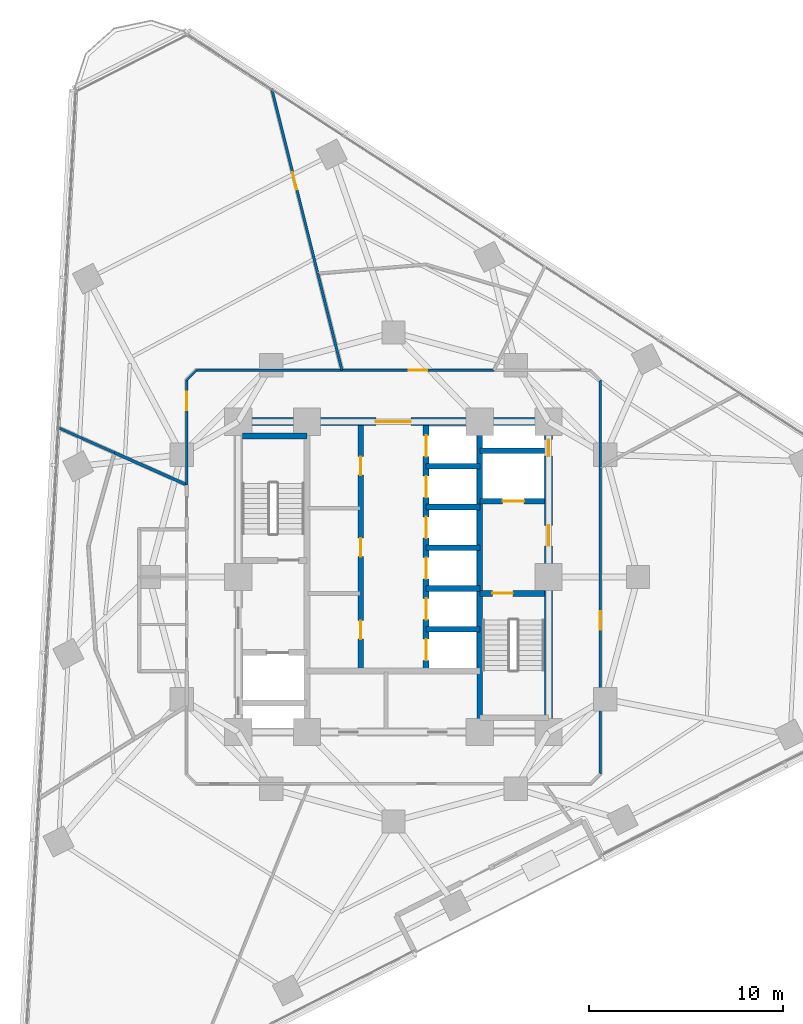
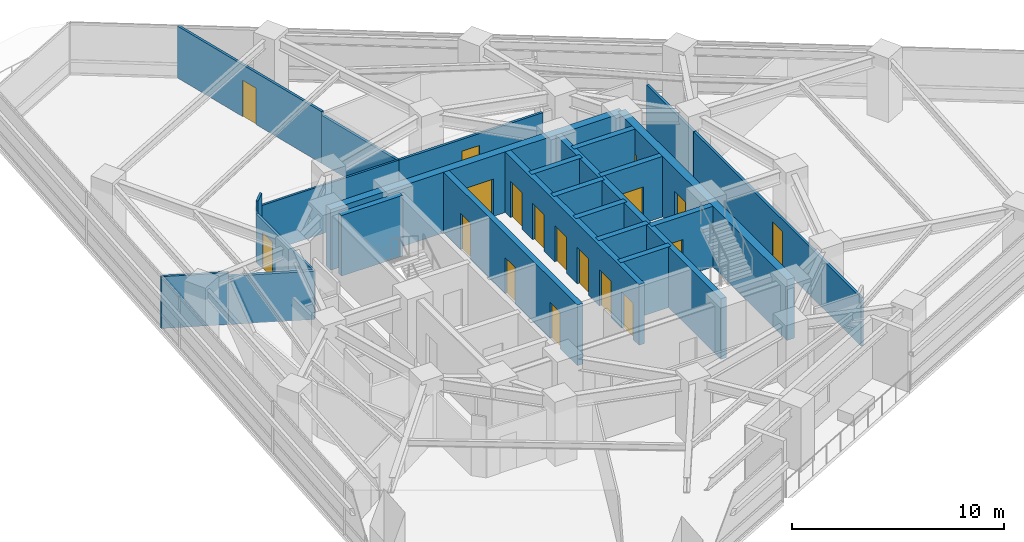
# One storey, part 9 of 14: 24 walls, 18 doors, 18 openings.
"""IFC4 building model written with IfcOpenShell, lengths in metres."""

from ifc_helpers import new_model, si_unit, direction, frame, frame_2d, origin, place, context, subcontext, project, spatial, rectangle, extrude, material, layer, layer_set, type_object, element, fill, save


model = new_model("IFC4")

# Units and contexts
model_context = context("Model", 3, precision=1e-05, world=origin(), true_north=direction((0.0, 1.0)))
body_context = subcontext(model_context, "Body", "Model", "MODEL_VIEW")
ifc_project = project(units=[si_unit("LENGTHUNIT", "METRE"), si_unit("AREAUNIT", "SQUARE_METRE"), si_unit("VOLUMEUNIT", "CUBIC_METRE"), si_unit("PLANEANGLEUNIT", "RADIAN"), si_unit("MASSUNIT", "GRAM", prefix="KILO")], contexts=[model_context])

# Site, building, storey
site_placement = place(None, origin())
site = spatial("IfcSite", under=ifc_project, at=site_placement, CompositionType="ELEMENT")
building_placement = place(site_placement, origin())
building = spatial("IfcBuilding", under=site, at=building_placement, Name="Terralouvre Media Tower", CompositionType="ELEMENT")
storey_placement = place(building_placement, frame((0.0, 0.0, 131.0)))
storey = spatial("IfcBuildingStorey", under=building, at=storey_placement, Name="L33", CompositionType="ELEMENT", Elevation=131.0)

# Walls
ifc_material_1 = material(Name="Concrete C50/60", Category="concrete")
ifc_layer_1 = layer(ifc_material_1, 0.300048828125, Name="Core Internal Shaft Wall CW-300")
ifc_layer_set_1 = layer_set([ifc_layer_1], Name="Concrete C50/60")
wall_type_1 = type_object("IfcWallType", Name="Core Internal Shaft Wall CW-300", PredefinedType="SHEAR", material=ifc_layer_set_1)
wall_1_placement = place(storey_placement, frame((4.449951171875, -7.7900390625, 0.0), z_axis=(0.0, 0.0, 1.0), x_axis=(0.0, 1.0, 0.0)))
element("IfcWall", 1, at=wall_1_placement, inside=storey, type_object=wall_type_1, Name="L33 Core Shaft Wall SPE", PredefinedType="SHEAR", context=body_context, shape_type="SweptSolid", body=[
    extrude(rectangle(XDim=15.580078125, YDim=0.300048828125, at=frame_2d((7.7900390625, 0.0))), origin(), (0.0, 0.0, 1.0), 3.5),
])
wall_2_placement = place(storey_placement, frame((-7.7900390625, 7.260009765625, 0.0), z_axis=(0.0, 0.0, 1.0), x_axis=(1.0, 0.0, 0.0)))
element("IfcWall", 2, at=wall_2_placement, inside=storey, type_object=wall_type_1, Name="L33 Core Shaft Wall ST1F", PredefinedType="SHEAR", context=body_context, shape_type="SweptSolid", body=[
    extrude(rectangle(XDim=3.340087890625, YDim=0.300048828125, at=frame_2d((1.669921875, 0.0))), origin(), (0.0, 0.0, 1.0), 3.5),
])

# Wall, opening, door
wall_3_placement = place(storey_placement, frame((4.449951171875, -0.85009765625, 0.0), z_axis=(0.0, 0.0, 1.0), x_axis=(1.0, 0.0, 0.0)))
wall_3 = element("IfcWall", 3, at=wall_3_placement, inside=storey, type_object=wall_type_1, Name="L33 Core Shaft Wall ST2D", PredefinedType="SHEAR", context=body_context, shape_type="SweptSolid", body=[
    extrude(rectangle(XDim=3.340087890625, YDim=0.300048828125, at=frame_2d((1.669921875, 0.0))), origin(), (0.0, 0.0, 1.0), 3.5),
])
opening_1_placement = place(wall_3_placement, frame((0.64990234375, 0.0, 0.0)))
opening_1 = element("IfcOpeningElement", 4, at=opening_1_placement, cuts=wall_3, Name="Opening FD-01-105X215", PredefinedType="OPENING", context=body_context, shape_type="SweptSolid", body=[
    extrude(rectangle(XDim=1.050048828125, YDim=2.14990234375, at=frame_2d((0.52490234375, 1.074951171875))), frame((0.0, 0.159912109375, 0.0), z_axis=(0.0, -1.0, 0.0), x_axis=(1.0, 0.0, 0.0)), (0.0, 0.0, 1.0), 0.320068359375),
])
ifc_material_2 = material(Name="Galvanised steel fire-resisting leaf", Category="steel")
door_type_1 = type_object("IfcDoorType", Name="Stair and Firefighting Lobby Fire Door FD-01 (1050x2150)", OperationType="NOTDEFINED", PredefinedType="DOOR", material=ifc_material_2)
door_1_placement = place(opening_1_placement, origin())
door_1 = element("IfcDoor", 5, at=door_1_placement, inside=storey, type_object=door_type_1, Name="L33 ST-02 Exit Stair Door", OperationType="SINGLE_SWING_RIGHT", OverallHeight=2.14990234375, OverallWidth=1.050048828125, PredefinedType="DOOR", context=body_context, shape_type="SweptSolid", body=[
    extrude(rectangle(XDim=1.050048828125, YDim=2.14990234375, at=frame_2d((0.52490234375, 1.074951171875))), frame((0.0, 0.02490234375, 0.0), z_axis=(0.0, -1.0, 0.0), x_axis=(1.0, 0.0, 0.0)), (0.0, 0.0, 1.0), 0.050048828125),
])
fill(opening_1, door_1)

wall_4_placement = place(storey_placement, frame((4.449951171875, 3.89990234375, 0.0), z_axis=(0.0, 0.0, 1.0), x_axis=(1.0, 0.0, 0.0)))
wall_4 = element("IfcWall", 6, at=wall_4_placement, inside=storey, type_object=wall_type_1, Name="L33 Core Shaft Wall FF2S", PredefinedType="SHEAR", context=body_context, shape_type="SweptSolid", body=[
    extrude(rectangle(XDim=3.340087890625, YDim=0.300048828125, at=frame_2d((1.669921875, 0.0))), origin(), (0.0, 0.0, 1.0), 3.5),
])
opening_2_placement = place(wall_4_placement, frame((1.179931640625, 0.0, 0.0)))
opening_2 = element("IfcOpeningElement", 7, at=opening_2_placement, cuts=wall_4, Name="Opening LD-FF", PredefinedType="OPENING", context=body_context, shape_type="SweptSolid", body=[
    extrude(rectangle(XDim=1.10009765625, YDim=2.10009765625, at=frame_2d((0.550048828125, 1.050048828125))), frame((0.0, 0.159912109375, 0.0), z_axis=(0.0, -1.0, 0.0), x_axis=(1.0, 0.0, 0.0)), (0.0, 0.0, 1.0), 0.320068359375),
])
ifc_material_3 = material(Name="Stainless steel 316 handrail and balustrade", Category="steel")
door_type_2 = type_object("IfcDoorType", Name="Firefighting Lift Sliding Landing Door LD-FF", OperationType="SLIDING_TO_LEFT", PredefinedType="DOOR", material=ifc_material_3)
door_2_placement = place(opening_2_placement, origin())
door_2 = element("IfcDoor", 8, at=door_2_placement, inside=storey, type_object=door_type_2, Name="L33 Firefighting Lift FFL-02 Landing Door", OperationType="SLIDING_TO_LEFT", OverallHeight=2.10009765625, OverallWidth=1.10009765625, PredefinedType="DOOR", context=body_context, shape_type="SweptSolid", body=[
    extrude(rectangle(XDim=1.10009765625, YDim=2.10009765625, at=frame_2d((0.550048828125, 1.050048828125))), frame((0.0, 0.02490234375, 0.0), z_axis=(0.0, -1.0, 0.0), x_axis=(1.0, 0.0, 0.0)), (0.0, 0.0, 1.0), 0.050048828125),
])
fill(opening_2, door_2)

# Wall
wall_5_placement = place(storey_placement, frame((4.449951171875, 6.5, 0.0), z_axis=(0.0, 0.0, 1.0), x_axis=(1.0, 0.0, 0.0)))
element("IfcWall", 9, at=wall_5_placement, inside=storey, type_object=wall_type_1, Name="L33 Core Shaft Wall FF2N", PredefinedType="SHEAR", context=body_context, shape_type="SweptSolid", body=[
    extrude(rectangle(XDim=3.340087890625, YDim=0.300048828125, at=frame_2d((1.669921875, 0.0))), origin(), (0.0, 0.0, 1.0), 3.5),
])

# Wall, openings, doors
wall_6_placement = place(storey_placement, frame((-1.679931640625, -4.85009765625, 0.0), z_axis=(0.0, 0.0, 1.0), x_axis=(0.0, 1.0, 0.0)))
wall_6 = element("IfcWall", 10, at=wall_6_placement, inside=storey, type_object=wall_type_1, Name="L33 Core Shaft Wall LBW", PredefinedType="SHEAR", context=body_context, shape_type="SweptSolid", body=[
    extrude(rectangle(XDim=12.64013671875, YDim=0.300048828125, at=frame_2d((6.320068359375, 0.0))), origin(), (0.0, 0.0, 1.0), 3.5),
])
opening_3_placement = place(wall_6_placement, frame((1.64990234375, 0.0, 0.0)))
opening_3 = element("IfcOpeningElement", 11, at=opening_3_placement, cuts=wall_6, Name="Opening FD-02-95X210", PredefinedType="OPENING", context=body_context, shape_type="SweptSolid", body=[
    extrude(rectangle(XDim=0.949951171875, YDim=2.10009765625, at=frame_2d((0.47509765625, 1.050048828125))), frame((0.0, 0.159912109375, 0.0), z_axis=(0.0, -1.0, 0.0), x_axis=(1.0, 0.0, 0.0)), (0.0, 0.0, 1.0), 0.320068359375),
])
opening_4_placement = place(wall_6_placement, frame((5.89990234375, 0.0, 0.0)))
opening_4 = element("IfcOpeningElement", 12, at=opening_4_placement, cuts=wall_6, Name="Opening SD-02", PredefinedType="OPENING", context=body_context, shape_type="SweptSolid", body=[
    extrude(rectangle(XDim=0.949951171875, YDim=2.10009765625, at=frame_2d((0.47509765625, 1.050048828125))), frame((0.0, 0.159912109375, 0.0), z_axis=(0.0, -1.0, 0.0), x_axis=(1.0, 0.0, 0.0)), (0.0, 0.0, 1.0), 0.320068359375),
])
opening_5_placement = place(wall_6_placement, frame((10.10009765625, 0.0, 0.0)))
opening_5 = element("IfcOpeningElement", 13, at=opening_5_placement, cuts=wall_6, Name="Opening FD-02-95X210", PredefinedType="OPENING", context=body_context, shape_type="SweptSolid", body=[
    extrude(rectangle(XDim=0.949951171875, YDim=2.10009765625, at=frame_2d((0.47509765625, 1.050048828125))), frame((0.0, 0.159912109375, 0.0), z_axis=(0.0, -1.0, 0.0), x_axis=(1.0, 0.0, 0.0)), (0.0, 0.0, 1.0), 0.320068359375),
])
ifc_material_4 = material(Name="Galvanised steel fire-resisting leaf", Category="steel")
door_type_3 = type_object("IfcDoorType", Name="Core Service Sliding Fire Door SD-02", OperationType="SLIDING_TO_LEFT", PredefinedType="DOOR", material=ifc_material_4)
door_3_placement = place(opening_4_placement, origin())
door_3 = element("IfcDoor", 14, at=door_3_placement, inside=storey, type_object=door_type_3, Name="L33 Core Pantry Store Door", OperationType="SLIDING_TO_LEFT", OverallHeight=2.10009765625, OverallWidth=0.949951171875, PredefinedType="DOOR", context=body_context, shape_type="SweptSolid", body=[
    extrude(rectangle(XDim=0.949951171875, YDim=2.10009765625, at=frame_2d((0.47509765625, 1.050048828125))), frame((0.0, 0.02490234375, 0.0), z_axis=(0.0, -1.0, 0.0), x_axis=(1.0, 0.0, 0.0)), (0.0, 0.0, 1.0), 0.050048828125),
])
fill(opening_4, door_3)
ifc_material_5 = material(Name="Galvanised steel fire-resisting leaf", Category="steel")
door_type_4 = type_object("IfcDoorType", Name="Plant and Riser Fire Door FD-02 (950x2100)", OperationType="NOTDEFINED", PredefinedType="DOOR", material=ifc_material_5)
door_4_placement = place(opening_3_placement, origin())
door_4 = element("IfcDoor", 15, at=door_4_placement, inside=storey, type_object=door_type_4, Name="L33 Core UPS Switch Plant Door", OperationType="SINGLE_SWING_LEFT", OverallHeight=2.10009765625, OverallWidth=0.949951171875, PredefinedType="DOOR", context=body_context, shape_type="SweptSolid", body=[
    extrude(rectangle(XDim=0.949951171875, YDim=2.10009765625, at=frame_2d((0.47509765625, 1.050048828125))), frame((0.0, 0.02490234375, 0.0), z_axis=(0.0, -1.0, 0.0), x_axis=(1.0, 0.0, 0.0)), (0.0, 0.0, 1.0), 0.050048828125),
])
fill(opening_3, door_4)
door_5_placement = place(opening_5_placement, origin())
door_5 = element("IfcDoor", 16, at=door_5_placement, inside=storey, type_object=door_type_4, Name="L33 Core Edge Server Plant Door", OperationType="SINGLE_SWING_RIGHT", OverallHeight=2.10009765625, OverallWidth=0.949951171875, PredefinedType="DOOR", context=body_context, shape_type="SweptSolid", body=[
    extrude(rectangle(XDim=0.949951171875, YDim=2.10009765625, at=frame_2d((0.47509765625, 1.050048828125))), frame((0.0, 0.02490234375, 0.0), z_axis=(0.0, -1.0, 0.0), x_axis=(1.0, 0.0, 0.0)), (0.0, 0.0, 1.0), 0.050048828125),
])
fill(opening_5, door_5)

wall_7_placement = place(storey_placement, frame((1.679931640625, -4.85009765625, 0.0), z_axis=(0.0, 0.0, 1.0), x_axis=(0.0, 1.0, 0.0)))
wall_7 = element("IfcWall", 17, at=wall_7_placement, inside=storey, type_object=wall_type_1, Name="L33 Core Shaft Wall LBE", PredefinedType="SHEAR", context=body_context, shape_type="SweptSolid", body=[
    extrude(rectangle(XDim=12.64013671875, YDim=0.300048828125, at=frame_2d((6.320068359375, 0.0))), origin(), (0.0, 0.0, 1.0), 3.5),
])
opening_6_placement = place(wall_7_placement, frame((0.550048828125, 0.0, 0.0)))
opening_6 = element("IfcOpeningElement", 18, at=opening_6_placement, cuts=wall_7, Name="Opening LD-PL", PredefinedType="OPENING", context=body_context, shape_type="SweptSolid", body=[
    extrude(rectangle(XDim=1.10009765625, YDim=2.10009765625, at=frame_2d((0.550048828125, 1.050048828125))), frame((0.0, 0.159912109375, 0.0), z_axis=(0.0, -1.0, 0.0), x_axis=(1.0, 0.0, 0.0)), (0.0, 0.0, 1.0), 0.320068359375),
])
opening_7_placement = place(wall_7_placement, frame((2.64990234375, 0.0, 0.0)))
opening_7 = element("IfcOpeningElement", 19, at=opening_7_placement, cuts=wall_7, Name="Opening LD-PL", PredefinedType="OPENING", context=body_context, shape_type="SweptSolid", body=[
    extrude(rectangle(XDim=1.10009765625, YDim=2.10009765625, at=frame_2d((0.550048828125, 1.050048828125))), frame((0.0, 0.159912109375, 0.0), z_axis=(0.0, -1.0, 0.0), x_axis=(1.0, 0.0, 0.0)), (0.0, 0.0, 1.0), 0.320068359375),
])
opening_8_placement = place(wall_7_placement, frame((4.75, 0.0, 0.0)))
opening_8 = element("IfcOpeningElement", 20, at=opening_8_placement, cuts=wall_7, Name="Opening LD-PL", PredefinedType="OPENING", context=body_context, shape_type="SweptSolid", body=[
    extrude(rectangle(XDim=1.10009765625, YDim=2.10009765625, at=frame_2d((0.550048828125, 1.050048828125))), frame((0.0, 0.159912109375, 0.0), z_axis=(0.0, -1.0, 0.0), x_axis=(1.0, 0.0, 0.0)), (0.0, 0.0, 1.0), 0.320068359375),
])
opening_9_placement = place(wall_7_placement, frame((6.85009765625, 0.0, 0.0)))
opening_9 = element("IfcOpeningElement", 21, at=opening_9_placement, cuts=wall_7, Name="Opening LD-PL", PredefinedType="OPENING", context=body_context, shape_type="SweptSolid", body=[
    extrude(rectangle(XDim=1.10009765625, YDim=2.10009765625, at=frame_2d((0.550048828125, 1.050048828125))), frame((0.0, 0.159912109375, 0.0), z_axis=(0.0, -1.0, 0.0), x_axis=(1.0, 0.0, 0.0)), (0.0, 0.0, 1.0), 0.320068359375),
])
opening_10_placement = place(wall_7_placement, frame((8.949951171875, 0.0, 0.0)))
opening_10 = element("IfcOpeningElement", 22, at=opening_10_placement, cuts=wall_7, Name="Opening LD-PL", PredefinedType="OPENING", context=body_context, shape_type="SweptSolid", body=[
    extrude(rectangle(XDim=1.10009765625, YDim=2.10009765625, at=frame_2d((0.550048828125, 1.050048828125))), frame((0.0, 0.159912109375, 0.0), z_axis=(0.0, -1.0, 0.0), x_axis=(1.0, 0.0, 0.0)), (0.0, 0.0, 1.0), 0.320068359375),
])
opening_11_placement = place(wall_7_placement, frame((11.050048828125, 0.0, 0.0)))
opening_11 = element("IfcOpeningElement", 23, at=opening_11_placement, cuts=wall_7, Name="Opening LD-PL", PredefinedType="OPENING", context=body_context, shape_type="SweptSolid", body=[
    extrude(rectangle(XDim=1.10009765625, YDim=2.10009765625, at=frame_2d((0.550048828125, 1.050048828125))), frame((0.0, 0.159912109375, 0.0), z_axis=(0.0, -1.0, 0.0), x_axis=(1.0, 0.0, 0.0)), (0.0, 0.0, 1.0), 0.320068359375),
])
ifc_material_6 = material(Name="Stainless steel 316 handrail and balustrade", Category="steel")
door_type_5 = type_object("IfcDoorType", Name="Passenger Lift Sliding Landing Door LD-PL", OperationType="SLIDING_TO_LEFT", PredefinedType="DOOR", material=ifc_material_6)
door_6_placement = place(opening_6_placement, origin())
door_6 = element("IfcDoor", 24, at=door_6_placement, inside=storey, type_object=door_type_5, Name="L33 High-Rise Lift PL-H1 Landing Door", OperationType="SLIDING_TO_LEFT", OverallHeight=2.10009765625, OverallWidth=1.10009765625, PredefinedType="DOOR", context=body_context, shape_type="SweptSolid", body=[
    extrude(rectangle(XDim=1.10009765625, YDim=2.10009765625, at=frame_2d((0.550048828125, 1.050048828125))), frame((0.0, 0.02490234375, 0.0), z_axis=(0.0, -1.0, 0.0), x_axis=(1.0, 0.0, 0.0)), (0.0, 0.0, 1.0), 0.050048828125),
])
fill(opening_6, door_6)
door_7_placement = place(opening_7_placement, origin())
door_7 = element("IfcDoor", 25, at=door_7_placement, inside=storey, type_object=door_type_5, Name="L33 High-Rise Lift PL-H2 Landing Door", OperationType="SLIDING_TO_LEFT", OverallHeight=2.10009765625, OverallWidth=1.10009765625, PredefinedType="DOOR", context=body_context, shape_type="SweptSolid", body=[
    extrude(rectangle(XDim=1.10009765625, YDim=2.10009765625, at=frame_2d((0.550048828125, 1.050048828125))), frame((0.0, 0.02490234375, 0.0), z_axis=(0.0, -1.0, 0.0), x_axis=(1.0, 0.0, 0.0)), (0.0, 0.0, 1.0), 0.050048828125),
])
fill(opening_7, door_7)
door_8_placement = place(opening_8_placement, origin())
door_8 = element("IfcDoor", 26, at=door_8_placement, inside=storey, type_object=door_type_5, Name="L33 High-Rise Lift PL-H3 Landing Door", OperationType="SLIDING_TO_LEFT", OverallHeight=2.10009765625, OverallWidth=1.10009765625, PredefinedType="DOOR", context=body_context, shape_type="SweptSolid", body=[
    extrude(rectangle(XDim=1.10009765625, YDim=2.10009765625, at=frame_2d((0.550048828125, 1.050048828125))), frame((0.0, 0.02490234375, 0.0), z_axis=(0.0, -1.0, 0.0), x_axis=(1.0, 0.0, 0.0)), (0.0, 0.0, 1.0), 0.050048828125),
])
fill(opening_8, door_8)
door_9_placement = place(opening_9_placement, origin())
door_9 = element("IfcDoor", 27, at=door_9_placement, inside=storey, type_object=door_type_5, Name="L33 Mid-Rise Lift PL-M1 Landing Door", OperationType="SLIDING_TO_LEFT", OverallHeight=2.10009765625, OverallWidth=1.10009765625, PredefinedType="DOOR", context=body_context, shape_type="SweptSolid", body=[
    extrude(rectangle(XDim=1.10009765625, YDim=2.10009765625, at=frame_2d((0.550048828125, 1.050048828125))), frame((0.0, 0.02490234375, 0.0), z_axis=(0.0, -1.0, 0.0), x_axis=(1.0, 0.0, 0.0)), (0.0, 0.0, 1.0), 0.050048828125),
])
fill(opening_9, door_9)
door_10_placement = place(opening_10_placement, origin())
door_10 = element("IfcDoor", 28, at=door_10_placement, inside=storey, type_object=door_type_5, Name="L33 Mid-Rise Lift PL-M2 Landing Door", OperationType="SLIDING_TO_LEFT", OverallHeight=2.10009765625, OverallWidth=1.10009765625, PredefinedType="DOOR", context=body_context, shape_type="SweptSolid", body=[
    extrude(rectangle(XDim=1.10009765625, YDim=2.10009765625, at=frame_2d((0.550048828125, 1.050048828125))), frame((0.0, 0.02490234375, 0.0), z_axis=(0.0, -1.0, 0.0), x_axis=(1.0, 0.0, 0.0)), (0.0, 0.0, 1.0), 0.050048828125),
])
fill(opening_10, door_10)
door_11_placement = place(opening_11_placement, origin())
door_11 = element("IfcDoor", 29, at=door_11_placement, inside=storey, type_object=door_type_5, Name="L33 Mid-Rise Lift PL-M3 Landing Door", OperationType="SLIDING_TO_LEFT", OverallHeight=2.10009765625, OverallWidth=1.10009765625, PredefinedType="DOOR", context=body_context, shape_type="SweptSolid", body=[
    extrude(rectangle(XDim=1.10009765625, YDim=2.10009765625, at=frame_2d((0.550048828125, 1.050048828125))), frame((0.0, 0.02490234375, 0.0), z_axis=(0.0, -1.0, 0.0), x_axis=(1.0, 0.0, 0.0)), (0.0, 0.0, 1.0), 0.050048828125),
])
fill(opening_11, door_11)

# Walls
for number, where, z_axis, x_axis, name in (
    (30, (1.679931640625, 1.5, 0.0), (0.0, 0.0, 1.0), (1.0, 0.0, 0.0), "L33 Core Shaft Wall PLMD0"),
    (31, (1.679931640625, 3.60009765625, 0.0), (0.0, 0.0, 1.0), (1.0, 0.0, 0.0), "L33 Core Shaft Wall PLMD1"),
    (32, (1.679931640625, 5.699951171875, 0.0), (0.0, 0.0, 1.0), (1.0, 0.0, 0.0), "L33 Core Shaft Wall PLMD2"),
    (33, (1.679931640625, -2.699951171875, 0.0), (0.0, 0.0, 1.0), (1.0, 0.0, 0.0), "L33 Core Shaft Wall PLHD1"),
    (34, (1.679931640625, -0.60009765625, 0.0), (0.0, 0.0, 1.0), (1.0, 0.0, 0.0), "L33 Core Shaft Wall PLHD2"),
):
    element("IfcWall", number, at=place(storey_placement, frame(where, z_axis=z_axis, x_axis=x_axis)), inside=storey, type_object=wall_type_1, Name=name, PredefinedType="SHEAR", context=body_context, shape_type="SweptSolid", body=[
        extrude(rectangle(XDim=2.77001953125, YDim=0.300048828125, at=frame_2d((1.385009765625, 0.0))), origin(), (0.0, 0.0, 1.0), 3.5),
    ])

# Wall, openings, doors
ifc_material_7 = material(Name="Concrete C60/75", Category="concrete")
ifc_layer_2 = layer(ifc_material_7, 0.419921875, Name="Core Reinforced Concrete Shear Wall CW-420")
ifc_layer_set_2 = layer_set([ifc_layer_2], Name="Concrete C60/75")
wall_type_2 = type_object("IfcWallType", Name="Core Reinforced Concrete Shear Wall CW-420", PredefinedType="SHEAR", material=ifc_layer_set_2)
wall_8_placement = place(storey_placement, frame((8.0, -8.0, 0.0), z_axis=(0.0, 0.0, 1.0), x_axis=(0.0, 1.0, 0.0)))
wall_8 = element("IfcWall", 35, at=wall_8_placement, inside=storey, type_object=wall_type_2, Name="L33 E Core Shear Wall", PredefinedType="SHEAR", context=body_context, shape_type="SweptSolid", body=[
    extrude(rectangle(XDim=16.0, YDim=0.419921875, at=frame_2d((8.0, 0.0))), origin(), (0.0, 0.0, 1.0), 3.5),
])
opening_12_placement = place(wall_8_placement, frame((9.60009765625, 0.0, 0.0)))
opening_12 = element("IfcOpeningElement", 36, at=opening_12_placement, cuts=wall_8, Name="Opening FD-01-105X215", PredefinedType="OPENING", context=body_context, shape_type="SweptSolid", body=[
    extrude(rectangle(XDim=1.050048828125, YDim=2.14990234375, at=frame_2d((0.52490234375, 1.074951171875))), frame((0.0, 0.219970703125, 0.0), z_axis=(0.0, -1.0, 0.0), x_axis=(1.0, 0.0, 0.0)), (0.0, 0.0, 1.0), 0.43994140625),
])
opening_13_placement = place(wall_8_placement, frame((14.228515625, 0.0, 0.0)))
opening_13 = element("IfcOpeningElement", 37, at=opening_13_placement, cuts=wall_8, Name="Opening TD-R1", PredefinedType="OPENING", context=body_context, shape_type="SweptSolid", body=[
    extrude(rectangle(XDim=0.85009765625, YDim=2.02001953125, at=frame_2d((0.425048828125, 1.010009765625))), frame((0.0, 0.219970703125, 0.0), z_axis=(0.0, -1.0, 0.0), x_axis=(1.0, 0.0, 0.0)), (0.0, 0.0, 1.0), 0.43994140625),
])
ifc_material_8 = material(Name="Galvanised steel fire-resisting leaf", Category="steel")
door_type_6 = type_object("IfcDoorType", Name="Riser Inspection Access Trapdoor TD-R1", OperationType="NOTDEFINED", PredefinedType="TRAPDOOR", material=ifc_material_8)
door_12_placement = place(opening_13_placement, origin())
door_12 = element("IfcDoor", 38, at=door_12_placement, inside=storey, type_object=door_type_6, Name="L33 East Comms Riser Access Trapdoor", OperationType="SINGLE_SWING_RIGHT", OverallHeight=2.02001953125, OverallWidth=0.85009765625, PredefinedType="TRAPDOOR", context=body_context, shape_type="SweptSolid", body=[
    extrude(rectangle(XDim=0.85009765625, YDim=2.02001953125, at=frame_2d((0.425048828125, 1.010009765625))), frame((0.0, 0.02490234375, 0.0), z_axis=(0.0, -1.0, 0.0), x_axis=(1.0, 0.0, 0.0)), (0.0, 0.0, 1.0), 0.050048828125),
])
fill(opening_13, door_12)
door_13_placement = place(opening_12_placement, origin())
door_13 = element("IfcDoor", 39, at=door_13_placement, inside=storey, type_object=door_type_1, Name="L33 East Firefighting Lobby Entry Door", OperationType="SINGLE_SWING_LEFT", OverallHeight=2.14990234375, OverallWidth=1.050048828125, PredefinedType="DOOR", context=body_context, shape_type="SweptSolid", body=[
    extrude(rectangle(XDim=1.050048828125, YDim=2.14990234375, at=frame_2d((0.52490234375, 1.074951171875))), frame((0.0, 0.02490234375, 0.0), z_axis=(0.0, -1.0, 0.0), x_axis=(1.0, 0.0, 0.0)), (0.0, 0.0, 1.0), 0.050048828125),
])
fill(opening_12, door_13)

# Wall, opening, door
wall_9_placement = place(storey_placement, frame((-8.0, 8.0, 0.0), z_axis=(0.0, 0.0, 1.0), x_axis=(1.0, 0.0, 0.0)))
wall_9 = element("IfcWall", 40, at=wall_9_placement, inside=storey, type_object=wall_type_2, Name="L33 N Core Shear Wall", PredefinedType="SHEAR", context=body_context, shape_type="SweptSolid", body=[
    extrude(rectangle(XDim=16.0, YDim=0.419921875, at=frame_2d((8.0, 0.0))), origin(), (0.0, 0.0, 1.0), 3.5),
])
opening_14_placement = place(wall_9_placement, frame((7.10009765625, 0.0, 0.0)))
opening_14 = element("IfcOpeningElement", 41, at=opening_14_placement, cuts=wall_9, Name="Opening FD-03", PredefinedType="OPENING", context=body_context, shape_type="SweptSolid", body=[
    extrude(rectangle(XDim=1.800048828125, YDim=2.14990234375, at=frame_2d((0.89990234375, 1.074951171875))), frame((0.0, 0.219970703125, 0.0), z_axis=(0.0, -1.0, 0.0), x_axis=(1.0, 0.0, 0.0)), (0.0, 0.0, 1.0), 0.43994140625),
])
ifc_material_9 = material(Name="Galvanised steel fire-resisting leaf", Category="steel")
door_type_7 = type_object("IfcDoorType", Name="Corridor Smoke-Control Double Door FD-03", OperationType="DOUBLE_DOOR_SINGLE_SWING", PredefinedType="DOOR", material=ifc_material_9)
door_14_placement = place(opening_14_placement, origin())
door_14 = element("IfcDoor", 42, at=door_14_placement, inside=storey, type_object=door_type_7, Name="L33 Central Lift Lobby Portal Door", OperationType="DOUBLE_DOOR_SINGLE_SWING", OverallHeight=2.14990234375, OverallWidth=1.800048828125, PredefinedType="DOOR", context=body_context, shape_type="SweptSolid", body=[
    extrude(rectangle(XDim=1.800048828125, YDim=2.14990234375, at=frame_2d((0.89990234375, 1.074951171875))), frame((0.0, 0.02490234375, 0.0), z_axis=(0.0, -1.0, 0.0), x_axis=(1.0, 0.0, 0.0)), (0.0, 0.0, 1.0), 0.050048828125),
])
fill(opening_14, door_14)

ifc_material_10 = material(Name="Fire-rated gypsum board drywall partition")
ifc_layer_3 = layer(ifc_material_10, 0.135009765625, Name="Newsroom Acoustic Partition PT-135")
ifc_layer_set_3 = layer_set([ifc_layer_3], Name="Fire-rated gypsum board drywall partition")
wall_type_3 = type_object("IfcWallType", Name="Newsroom Acoustic Partition PT-135", PredefinedType="PARTITIONING", material=ifc_layer_set_3)
wall_10_placement = place(storey_placement, frame((10.64990234375, -10.14990234375, 0.0), z_axis=(0.0, 0.0, 1.0), x_axis=(0.0, 1.0, 0.0)))
wall_10 = element("IfcWall", 43, at=wall_10_placement, inside=storey, type_object=wall_type_3, Name="L33 Interior Partition 011", PredefinedType="PARTITIONING", context=body_context, shape_type="SweptSolid", body=[
    extrude(rectangle(XDim=15.81298828125, YDim=0.135009765625, at=frame_2d((7.906494140625, 0.0))), origin(), (0.0, 0.0, 1.0), 2.784912109375),
])
opening_15_placement = place(wall_10_placement, frame((7.431396484375, 0.0, 0.0)))
opening_15 = element("IfcOpeningElement", 44, at=opening_15_placement, cuts=wall_10, Name="Opening ID-02-95X210", PredefinedType="OPENING", context=body_context, shape_type="SweptSolid", body=[
    extrude(rectangle(XDim=0.949951171875, YDim=2.10009765625, at=frame_2d((0.47509765625, 1.050048828125))), frame((0.0, 0.077392578125, 0.0), z_axis=(0.0, -1.0, 0.0), x_axis=(1.0, 0.0, 0.0)), (0.0, 0.0, 1.0), 0.155029296875),
])
ifc_material_11 = material(Name="Engineered hardwood acoustic timber leaf", Category="wood")
door_type_8 = type_object("IfcDoorType", Name="Office and Meeting Room Door ID-02 (950x2100)", OperationType="NOTDEFINED", PredefinedType="DOOR", material=ifc_material_11)
door_15_placement = place(opening_15_placement, origin())
door_15 = element("IfcDoor", 45, at=door_15_placement, inside=storey, type_object=door_type_8, Name="L33 Book Review Reading Study 5 Door", OperationType="SINGLE_SWING_LEFT", OverallHeight=2.10009765625, OverallWidth=0.949951171875, PredefinedType="DOOR", context=body_context, shape_type="SweptSolid", body=[
    extrude(rectangle(XDim=0.949951171875, YDim=2.10009765625, at=frame_2d((0.47509765625, 1.050048828125))), frame((0.0, 0.02490234375, 0.0), z_axis=(0.0, -1.0, 0.0), x_axis=(1.0, 0.0, 0.0)), (0.0, 0.0, 1.0), 0.050048828125),
])
fill(opening_15, door_15)

# Wall
wall_11_placement = place(storey_placement, frame((10.64990234375, 5.6630859375, 0.0), z_axis=(0.0, 0.0, 1.0), x_axis=(0.0, 1.0, 0.0)))
element("IfcWall", 46, at=wall_11_placement, inside=storey, type_object=wall_type_3, Name="L33 Interior Partition 012", PredefinedType="PARTITIONING", context=body_context, shape_type="SweptSolid", body=[
    extrude(rectangle(XDim=4.48681640625, YDim=0.135009765625, at=frame_2d((2.243408203125, 0.0))), origin(), (0.0, 0.0, 1.0), 2.784912109375),
])

# Wall, opening, door
wall_12_placement = place(storey_placement, frame((5.194091796875, 10.64990234375, 0.0), z_axis=(0.0, 0.0, 1.0), x_axis=(-1.0, 0.0, 0.0)))
wall_12 = element("IfcWall", 47, at=wall_12_placement, inside=storey, type_object=wall_type_3, Name="L33 Interior Partition 015", PredefinedType="PARTITIONING", context=body_context, shape_type="SweptSolid", body=[
    extrude(rectangle(XDim=7.84912109375, YDim=0.135009765625, at=frame_2d((3.924560546875, 0.0))), origin(), (0.0, 0.0, 1.0), 2.784912109375),
])
opening_16_placement = place(wall_12_placement, frame((3.449462890625, 0.0, 0.0)))
opening_16 = element("IfcOpeningElement", 48, at=opening_16_placement, cuts=wall_12, Name="Opening ID-02-95X210", PredefinedType="OPENING", context=body_context, shape_type="SweptSolid", body=[
    extrude(rectangle(XDim=0.949951171875, YDim=2.10009765625, at=frame_2d((0.47509765625, 1.050048828125))), frame((0.0, 0.077392578125, 0.0), z_axis=(0.0, -1.0, 0.0), x_axis=(1.0, 0.0, 0.0)), (0.0, 0.0, 1.0), 0.155029296875),
])
door_16_placement = place(opening_16_placement, origin())
door_16 = element("IfcDoor", 49, at=door_16_placement, inside=storey, type_object=door_type_8, Name="L33 Chamber Rehearsal Creative Workshop 7 Door", OperationType="SINGLE_SWING_LEFT", OverallHeight=2.10009765625, OverallWidth=0.949951171875, PredefinedType="DOOR", context=body_context, shape_type="SweptSolid", body=[
    extrude(rectangle(XDim=0.949951171875, YDim=2.10009765625, at=frame_2d((0.47509765625, 1.050048828125))), frame((0.0, 0.02490234375, 0.0), z_axis=(0.0, -1.0, 0.0), x_axis=(1.0, 0.0, 0.0)), (0.0, 0.0, 1.0), 0.050048828125),
])
fill(opening_16, door_16)

# Walls
wall_13_placement = place(storey_placement, frame((-14.3740234375, 6.39990234375, 0.0), z_axis=(0.0, 0.0, 1.0), x_axis=(-0.913611090133, 0.406589198068, 0.0)))
element("IfcWall", 50, at=wall_13_placement, inside=storey, type_object=wall_type_3, Name="L33 Interior Partition 033", PredefinedType="PARTITIONING", context=body_context, shape_type="SweptSolid", body=[
    extrude(rectangle(XDim=3.216064453125, YDim=0.135009765625, at=frame_2d((1.60791015625, 0.0))), origin(), (0.0, 0.0, 1.0), 2.985107421875),
])
wall_14_placement = place(storey_placement, frame((-3.90087890625, 15.64599609375, 0.0), z_axis=(0.0, 0.0, 1.0), x_axis=(0.241955453095, -0.970287358836, 0.0)))
element("IfcWall", 51, at=wall_14_placement, inside=storey, type_object=wall_type_3, Name="L33 Interior Partition 041", PredefinedType="PARTITIONING", context=body_context, shape_type="SweptSolid", body=[
    extrude(rectangle(XDim=5.149169921875, YDim=0.135009765625, at=frame_2d((2.57470703125, 0.0))), origin(), (0.0, 0.0, 1.0), 2.784912109375),
])

# Wall, opening, door
wall_15_placement = place(storey_placement, frame((-6.276123046875, 25.1708984375, 0.0), z_axis=(0.0, 0.0, 1.0), x_axis=(0.241962105276, -0.970285699993, 0.0)))
wall_15 = element("IfcWall", 52, at=wall_15_placement, inside=storey, type_object=wall_type_3, Name="L33 Interior Partition 042", PredefinedType="PARTITIONING", context=body_context, shape_type="SweptSolid", body=[
    extrude(rectangle(XDim=9.816650390625, YDim=0.135009765625, at=frame_2d((4.908203125, 0.0))), origin(), (0.0, 0.0, 1.0), 2.985107421875),
])
opening_17_placement = place(wall_15_placement, frame((4.4482421875, 0.0, 0.0)))
opening_17 = element("IfcOpeningElement", 53, at=opening_17_placement, cuts=wall_15, Name="Opening ID-03-92X210", PredefinedType="OPENING", context=body_context, shape_type="SweptSolid", body=[
    extrude(rectangle(XDim=0.919921875, YDim=2.10009765625, at=frame_2d((0.4599609375, 1.050048828125))), frame((0.0, 0.077392578125, 0.0), z_axis=(0.0, -1.0, 0.0), x_axis=(1.0, 0.0, 0.0)), (0.0, 0.0, 1.0), 0.155029296875),
])
ifc_material_12 = material(Name="Engineered hardwood acoustic timber leaf", Category="wood")
door_type_9 = type_object("IfcDoorType", Name="Accessible Restroom and Suite Door ID-03 (920x2100)", OperationType="NOTDEFINED", PredefinedType="DOOR", material=ifc_material_12)
door_17_placement = place(opening_17_placement, origin())
door_17 = element("IfcDoor", 54, at=door_17_placement, inside=storey, type_object=door_type_9, Name="L33 Publishing Production Workspace 8 Door", OperationType="SINGLE_SWING_LEFT", OverallHeight=2.10009765625, OverallWidth=0.919921875, PredefinedType="DOOR", context=body_context, shape_type="SweptSolid", body=[
    extrude(rectangle(XDim=0.919921875, YDim=2.10009765625, at=frame_2d((0.4599609375, 1.050048828125))), frame((0.0, 0.02490234375, 0.0), z_axis=(0.0, -1.0, 0.0), x_axis=(1.0, 0.0, 0.0)), (0.0, 0.0, 1.0), 0.050048828125),
])
fill(opening_17, door_17)

# Walls
ifc_material_13 = material(Name="Fire-rated gypsum board drywall partition")
ifc_layer_4 = layer(ifc_material_13, 0.114990234375, Name="Restroom and Pantry Partition PT-115")
ifc_layer_set_4 = layer_set([ifc_layer_4], Name="Fire-rated gypsum board drywall partition")
wall_type_4 = type_object("IfcWallType", Name="Restroom and Pantry Partition PT-115", PredefinedType="PARTITIONING", material=ifc_layer_set_4)
wall_16_placement = place(storey_placement, frame((-2.655029296875, 10.64990234375, 0.0), z_axis=(0.0, 0.0, 1.0), x_axis=(-1.0, 0.0, 0.0)))
element("IfcWall", 55, at=wall_16_placement, inside=storey, type_object=wall_type_4, Name="L33 Interior Partition 016", PredefinedType="PARTITIONING", context=body_context, shape_type="SweptSolid", body=[
    extrude(rectangle(XDim=7.494873046875, YDim=0.114990234375, at=frame_2d((3.74755859375, 0.0))), origin(), (0.0, 0.0, 1.0), 2.784912109375),
])
wall_17_placement = place(storey_placement, frame((-10.14990234375, 10.64990234375, 0.0), z_axis=(0.0, 0.0, 1.0), x_axis=(-0.707106781187, -0.707106781187, 0.0)))
element("IfcWall", 56, at=wall_17_placement, inside=storey, type_object=wall_type_4, Name="L33 Interior Partition 017", PredefinedType="PARTITIONING", context=body_context, shape_type="SweptSolid", body=[
    extrude(rectangle(XDim=0.70703125, YDim=0.114990234375, at=frame_2d((0.353515625, 0.0))), origin(), (0.0, 0.0, 1.0), 3.5),
])

# Wall, opening, door
wall_18_placement = place(storey_placement, frame((-10.64990234375, 10.14990234375, 0.0), z_axis=(0.0, 0.0, 1.0), x_axis=(0.0, -1.0, 0.0)))
wall_18 = element("IfcWall", 57, at=wall_18_placement, inside=storey, type_object=wall_type_4, Name="L33 Interior Partition 018", PredefinedType="PARTITIONING", context=body_context, shape_type="SweptSolid", body=[
    extrude(rectangle(XDim=5.407958984375, YDim=0.114990234375, at=frame_2d((2.7041015625, 0.0))), origin(), (0.0, 0.0, 1.0), 2.784912109375),
])
opening_18_placement = place(wall_18_placement, frame((0.606689453125, 0.0, 0.0)))
opening_18 = element("IfcOpeningElement", 58, at=opening_18_placement, cuts=wall_18, Name="Opening SD-01-95X210", PredefinedType="OPENING", context=body_context, shape_type="SweptSolid", body=[
    extrude(rectangle(XDim=0.949951171875, YDim=2.10009765625, at=frame_2d((0.47509765625, 1.050048828125))), frame((0.0, 0.0673828125, 0.0), z_axis=(0.0, -1.0, 0.0), x_axis=(1.0, 0.0, 0.0)), (0.0, 0.0, 1.0), 0.135009765625),
])
ifc_material_14 = material(Name="Anodised extruded aluminium 6063-T6", Category="aluminium")
door_type_10 = type_object("IfcDoorType", Name="Pantry Pocket Sliding Door SD-01 (950x2100)", OperationType="SLIDING_TO_LEFT", PredefinedType="DOOR", material=ifc_material_14)
door_18_placement = place(opening_18_placement, origin())
door_18 = element("IfcDoor", 59, at=door_18_placement, inside=storey, type_object=door_type_10, Name="L33 Salon Tea and Pastry Kitchen 9 Door", OperationType="SLIDING_TO_LEFT", OverallHeight=2.10009765625, OverallWidth=0.949951171875, PredefinedType="DOOR", context=body_context, shape_type="SweptSolid", body=[
    extrude(rectangle(XDim=0.949951171875, YDim=2.10009765625, at=frame_2d((0.47509765625, 1.050048828125))), frame((0.0, 0.02490234375, 0.0), z_axis=(0.0, -1.0, 0.0), x_axis=(1.0, 0.0, 0.0)), (0.0, 0.0, 1.0), 0.050048828125),
])
fill(opening_18, door_18)

# Wall
ifc_material_15 = material(Name="Fire-rated gypsum board drywall partition")
ifc_layer_5 = layer(ifc_material_15, 0.159912109375, Name="Studio Acoustic Rated Partition PT-160")
ifc_layer_set_5 = layer_set([ifc_layer_5], Name="Fire-rated gypsum board drywall partition")
wall_type_5 = type_object("IfcWallType", Name="Studio Acoustic Rated Partition PT-160", PredefinedType="PARTITIONING", material=ifc_layer_set_5)
wall_19_placement = place(storey_placement, frame((-10.64990234375, 4.741943359375, 0.0), z_axis=(0.0, 0.0, 1.0), x_axis=(-0.913556992648, 0.406710734042, 0.0)))
element("IfcWall", 60, at=wall_19_placement, inside=storey, type_object=wall_type_5, Name="L33 Interior Partition 027", PredefinedType="PARTITIONING", context=body_context, shape_type="SweptSolid", body=[
    extrude(rectangle(XDim=4.076416015625, YDim=0.159912109375, at=frame_2d((2.0380859375, 0.0))), origin(), (0.0, 0.0, 1.0), 2.784912109375),
])

save(model, "model.ifc")
